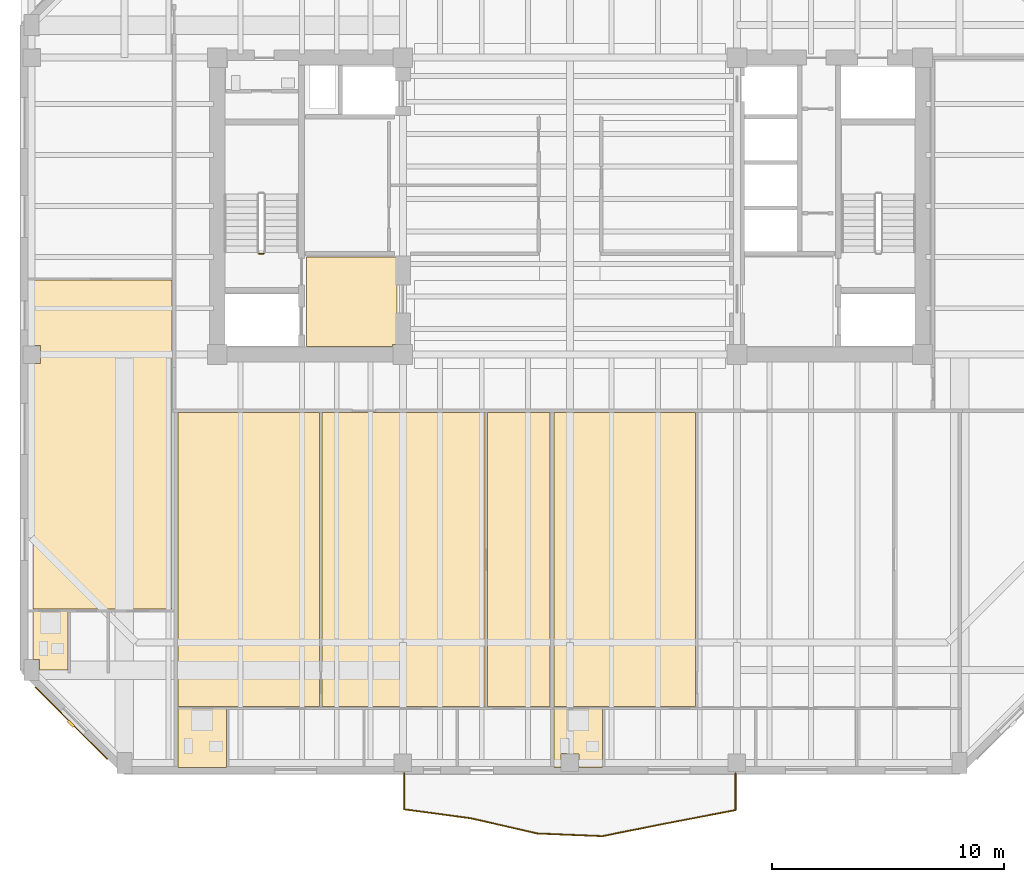
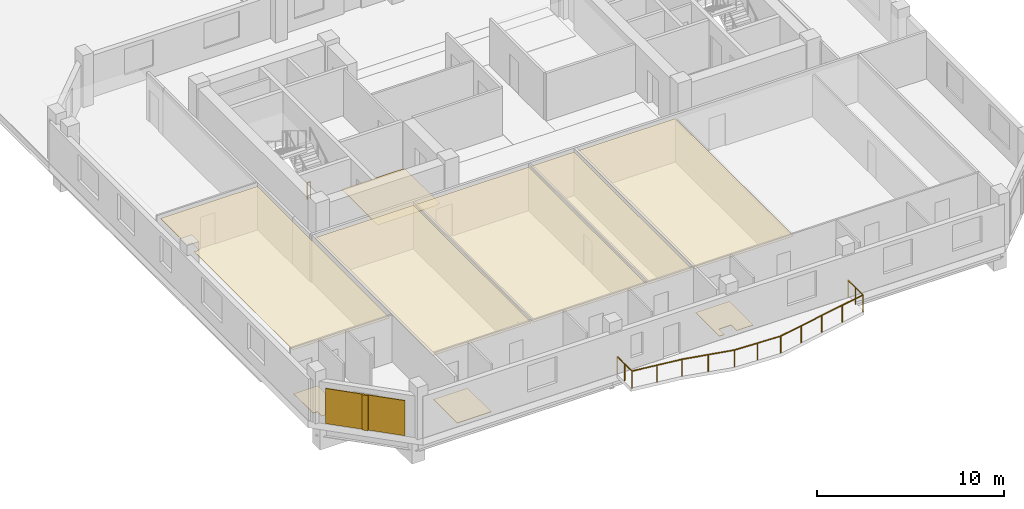
# One storey, part 7 of 11: 10 coverings, 2 railings, 1 shading device.
"""IFC4 building model written with IfcOpenShell, lengths in metres."""

from ifc_helpers import new_model, si_unit, direction, frame, origin, origin_2d, place, context, subcontext, project, spatial, polyline, rectangle, circle, outline, extrude, material, layer, layer_set, type_object, element, save


model = new_model("IFC4")

# Units and contexts
model_context = context("Model", 3, precision=1e-05, world=origin(), true_north=direction((0.0, 1.0)))
body_context = subcontext(model_context, "Body", "Model", "MODEL_VIEW")
ifc_project = project(units=[si_unit("LENGTHUNIT", "METRE"), si_unit("AREAUNIT", "SQUARE_METRE"), si_unit("VOLUMEUNIT", "CUBIC_METRE"), si_unit("PLANEANGLEUNIT", "RADIAN"), si_unit("MASSUNIT", "GRAM", prefix="KILO")], contexts=[model_context])

# Site, building, storey
site_placement = place(None, origin())
site = spatial("IfcSite", under=ifc_project, at=site_placement, CompositionType="ELEMENT")
building_placement = place(site_placement, origin())
building = spatial("IfcBuilding", under=site, at=building_placement, Name="Kranthara Brick Stack", CompositionType="ELEMENT")
storey_placement = place(building_placement, frame((0.0, 0.0, 207.5)))
storey = spatial("IfcBuildingStorey", under=building, at=storey_placement, Name="L53", CompositionType="ELEMENT", Elevation=207.5)

# Coverings
ifc_material_1 = material(Name="Perforated mineral-fibre acoustic ceiling tile", Category="other")
ifc_layer_1 = layer(ifc_material_1, 0.02490234375)
ifc_layer_set_1 = layer_set([ifc_layer_1], Name="Perforated mineral-fibre acoustic ceiling tile")
covering_type_1 = type_object("IfcCoveringType", Name="COV-CEIL-ACOUSTIC", PredefinedType="CEILING", material=ifc_layer_set_1)
covering_1_placement = place(storey_placement, frame((0.0, 0.0, 2.830078125)))
element("IfcCovering", 1, at=covering_1_placement, inside=storey, type_object=covering_type_1, Name="L53 Unit L53A Bedroom 3 Acoustic Ceiling", PredefinedType="CEILING", context=body_context, shape_type="SweptSolid", body=[
    extrude(outline(polyline([(27.154052734375, 5.6298828125), (27.154052734375, 18.300048828125), (24.44189453125, 18.300048828125), (24.44189453125, 5.6298828125), (27.154052734375, 5.6298828125)])), origin(), (0.0, 0.0, 1.0), 0.02490234375),
])
covering_2_placement = place(storey_placement, frame((0.0, 0.0, 2.830078125)))
element("IfcCovering", 2, at=covering_2_placement, inside=storey, type_object=covering_type_1, Name="L53 Unit L53A 3-Bed Apartment Living Dining Acoustic Ceiling", PredefinedType="CEILING", context=body_context, shape_type="SweptSolid", body=[
    extrude(outline(polyline([(17.2060546875, 5.6298828125), (17.2060546875, 18.300048828125), (11.10009765625, 18.300048828125), (11.10009765625, 5.6298828125), (17.2060546875, 5.6298828125)])), origin(), (0.0, 0.0, 1.0), 0.02490234375),
])
covering_3_placement = place(storey_placement, frame((0.0, 0.0, 2.830078125)))
element("IfcCovering", 3, at=covering_3_placement, inside=storey, type_object=covering_type_1, Name="L53 Unit L53A Private Study Room Acoustic Ceiling", PredefinedType="CEILING", context=body_context, shape_type="SweptSolid", body=[
    extrude(outline(polyline([(24.342041015625, 5.6298828125), (24.342041015625, 18.300048828125), (17.305908203125, 18.300048828125), (17.305908203125, 5.6298828125), (24.342041015625, 5.6298828125)])), origin(), (0.0, 0.0, 1.0), 0.02490234375),
])
covering_4_placement = place(storey_placement, frame((0.0, 0.0, 2.830078125)))
element("IfcCovering", 4, at=covering_4_placement, inside=storey, type_object=covering_type_1, Name="L53 Unit L53B 3-Bed Apartment Living Dining Acoustic Ceiling", PredefinedType="CEILING", context=body_context, shape_type="SweptSolid", body=[
    extrude(outline(polyline([(33.419921875, 5.6298828125), (33.419921875, 18.300048828125), (27.31396484375, 18.300048828125), (27.31396484375, 5.6298828125), (33.419921875, 5.6298828125)])), origin(), (0.0, 0.0, 1.0), 0.02490234375),
])
covering_5_placement = place(storey_placement, frame((0.0, 0.0, 2.830078125)))
element("IfcCovering", 5, at=covering_5_placement, inside=storey, type_object=covering_type_1, Name="L53 Unit L53C Private Study Room Acoustic Ceiling", PredefinedType="CEILING", context=body_context, shape_type="SweptSolid", body=[
    extrude(outline(polyline([(4.8701171875, 24.011962890625), (10.860107421875, 24.011962890625), (10.860107421875, 9.830078125), (4.8701171875, 9.830078125), (4.8701171875, 20.4150390625), (5.18505859375, 20.4150390625), (5.18505859375, 21.18505859375), (4.8701171875, 21.18505859375), (4.8701171875, 24.011962890625)])), origin(), (0.0, 0.0, 1.0), 0.02490234375),
])
ifc_material_2 = material(Name="Warm buff kiln-fired brick slip rainscreen", Category="masonry")
ifc_layer_2 = layer(ifc_material_2, 0.044921875)
ifc_layer_set_2 = layer_set([ifc_layer_2], Name="Warm buff kiln-fired brick slip rainscreen")
covering_type_2 = type_object("IfcCoveringType", Name="COV-CLAD-BRICK", PredefinedType="CLADDING", material=ifc_layer_set_2)
covering_6_placement = place(storey_placement, frame((6.5126953125, 4.91259765625, 0.0498046875), z_axis=(0.0, 0.0, 1.0), x_axis=(-0.707106781187, 0.707106781187, 0.0)))
element("IfcCovering", 6, at=covering_6_placement, inside=storey, type_object=covering_type_2, Name="L53 Chamfer Brick Rainscreen Cladding SW", PredefinedType="CLADDING", context=body_context, shape_type="SweptSolid", body=[
    extrude(rectangle(XDim=4.39892578125, YDim=0.044921875, at=origin_2d()), origin(), (0.0, 0.0, 1.0), 2.300048828125),
])
ifc_material_3 = material(Name="Honed terrazzo and porcelain floor finish", Category="stone")
ifc_layer_3 = layer(ifc_material_3, 0.030029296875)
ifc_layer_set_3 = layer_set([ifc_layer_3], Name="Honed terrazzo and porcelain floor finish")
covering_type_3 = type_object("IfcCoveringType", Name="COV-FLOR-STONE", PredefinedType="FLOORING", material=ifc_layer_set_3)
covering_7_placement = place(storey_placement, origin())
element("IfcCovering", 7, at=covering_7_placement, inside=storey, type_object=covering_type_3, Name="L53 Lift Lobby Stone Flooring", PredefinedType="FLOORING", context=body_context, shape_type="SweptSolid", body=[
    extrude(outline(polyline([(16.64990234375, 21.14990234375), (16.64990234375, 25.0), (20.550048828125, 25.0), (20.550048828125, 21.235107421875), (20.364990234375, 21.235107421875), (20.364990234375, 21.14990234375), (16.64990234375, 21.14990234375)])), origin(), (0.0, 0.0, 1.0), 0.030029296875),
])
covering_8_placement = place(storey_placement, origin())
element("IfcCovering", 8, at=covering_8_placement, inside=storey, type_object=covering_type_3, Name="L53 Wet Room Porcelain Flooring", PredefinedType="FLOORING", context=body_context, shape_type="SweptSolid", body=[
    extrude(outline(polyline([(13.199951171875, 3.0), (13.199951171875, 5.550048828125), (11.10009765625, 5.550048828125), (11.10009765625, 3.0), (13.199951171875, 3.0)])), origin(), (0.0, 0.0, 1.0), 0.030029296875),
])
covering_9_placement = place(storey_placement, origin())
element("IfcCovering", 9, at=covering_9_placement, inside=storey, type_object=covering_type_3, Name="L53 Wet Room Porcelain Flooring", PredefinedType="FLOORING", context=body_context, shape_type="SweptSolid", body=[
    extrude(outline(polyline([(27.31396484375, 3.0), (27.31396484375, 5.550048828125), (29.4140625, 5.550048828125), (29.4140625, 3.0), (28.385009765625, 3.0), (28.385009765625, 3.5849609375), (27.614990234375, 3.5849609375), (27.614990234375, 3.0), (27.31396484375, 3.0)])), origin(), (0.0, 0.0, 1.0), 0.030029296875),
])
covering_10_placement = place(storey_placement, origin())
element("IfcCovering", 10, at=covering_10_placement, inside=storey, type_object=covering_type_3, Name="L53 Wet Room Porcelain Flooring", PredefinedType="FLOORING", context=body_context, shape_type="SweptSolid", body=[
    extrude(outline(polyline([(4.8701171875, 9.75), (6.375, 9.75), (6.375, 7.199951171875), (5.135009765625, 7.199951171875), (5.135009765625, 7.659912109375), (4.8701171875, 7.659912109375), (4.8701171875, 9.75)])), origin(), (0.0, 0.0, 1.0), 0.030029296875),
])

# Railings
ifc_material_4 = material(Name="Bronze anodised aluminium and laminated glass balustrade", Category="aluminium")
railing_type_1 = type_object("IfcRailingType", Name="RL-BALC-1120", PredefinedType="BALUSTRADE", material=ifc_material_4)
railing_1_placement = place(storey_placement, frame((35.139892578125, 2.760009765625, 0.0)))
element("IfcRailing", 11, at=railing_1_placement, inside=storey, type_object=railing_type_1, Name="L53 South Rippling Balcony Balustrade", PredefinedType="BALUSTRADE", context=body_context, shape_type="SweptSolid", body=[
    extrude(circle(Radius=0.02392578125, at=origin_2d()), frame((0.0, 0.0, 1.09619140625), z_axis=(0.0, -1.0, 0.0), x_axis=(1.0, 0.0, 0.0)), (0.0, 0.0, 1.0), 1.593994140625),
    extrude(circle(Radius=0.02392578125, at=origin_2d()), frame((0.0, -1.593994140625, 1.09619140625), z_axis=(-0.982100169134, -0.188359384652, 0.0), x_axis=(0.188359384652, -0.982100169134, 0.0)), (0.0, 0.0, 1.0), 2.931884765625),
    extrude(circle(Radius=0.02392578125, at=origin_2d()), frame((-2.87939453125, -2.146240234375, 1.09619140625), z_axis=(-0.980849578843, -0.194766793074, 0.0), x_axis=(0.194766793074, -0.980849578843, 0.0)), (0.0, 0.0, 1.0), 2.923095703125),
    extrude(circle(Radius=0.02392578125, at=origin_2d()), frame((-5.74658203125, -2.715576171875, 1.09619140625), z_axis=(-0.999177134327, 0.040559268209, 0.0), x_axis=(-0.040559268209, -0.999177134327, 0.0)), (0.0, 0.0, 1.0), 2.786865234375),
    extrude(circle(Radius=0.02392578125, at=origin_2d()), frame((-8.53125, -2.6025390625, 1.09619140625), z_axis=(-0.97494751059, 0.222435050284, 0.0), x_axis=(-0.222435050284, -0.97494751059, 0.0)), (0.0, 0.0, 1.0), 2.942626953125),
    extrude(circle(Radius=0.02392578125, at=origin_2d()), frame((-11.400146484375, -1.947998046875, 1.09619140625), z_axis=(-0.991058311372, 0.133429469984, 0.0), x_axis=(-0.133429469984, -0.991058311372, 0.0)), (0.0, 0.0, 1.0), 2.905517578125),
    extrude(circle(Radius=0.02392578125, at=origin_2d()), frame((-14.27978515625, -1.560302734375, 1.09619140625), z_axis=(0.0, 1.0, 0.0), x_axis=(-1.0, 0.0, 0.0)), (0.0, 0.0, 1.0), 1.560302734375),
    extrude(circle(Radius=0.02099609375, at=origin_2d()), origin(), (0.0, 0.0, 1.0), 1.072021484375),
    extrude(circle(Radius=0.02099609375, at=origin_2d()), frame((0.0, -0.796875, 0.0)), (0.0, 0.0, 1.0), 1.072021484375),
    extrude(circle(Radius=0.02099609375, at=origin_2d()), frame((0.0, -1.593994140625, 0.0)), (0.0, 0.0, 1.0), 1.072021484375),
    extrude(circle(Radius=0.02099609375, at=origin_2d()), frame((-1.439697265625, -1.8701171875, 0.0)), (0.0, 0.0, 1.0), 1.072021484375),
    extrude(circle(Radius=0.02099609375, at=origin_2d()), frame((-2.87939453125, -2.146240234375, 0.0)), (0.0, 0.0, 1.0), 1.072021484375),
    extrude(circle(Radius=0.02099609375, at=origin_2d()), frame((-4.31298828125, -2.430908203125, 0.0)), (0.0, 0.0, 1.0), 1.072021484375),
    extrude(circle(Radius=0.02099609375, at=origin_2d()), frame((-5.74658203125, -2.715576171875, 0.0)), (0.0, 0.0, 1.0), 1.072021484375),
    extrude(circle(Radius=0.02099609375, at=origin_2d()), frame((-7.138916015625, -2.6591796875, 0.0)), (0.0, 0.0, 1.0), 1.072021484375),
    extrude(circle(Radius=0.02099609375, at=origin_2d()), frame((-8.53125, -2.6025390625, 0.0)), (0.0, 0.0, 1.0), 1.072021484375),
    extrude(circle(Radius=0.02099609375, at=origin_2d()), frame((-9.9658203125, -2.275390625, 0.0)), (0.0, 0.0, 1.0), 1.072021484375),
    extrude(circle(Radius=0.02099609375, at=origin_2d()), frame((-11.400146484375, -1.947998046875, 0.0)), (0.0, 0.0, 1.0), 1.072021484375),
    extrude(circle(Radius=0.02099609375, at=origin_2d()), frame((-12.83984375, -1.754150390625, 0.0)), (0.0, 0.0, 1.0), 1.072021484375),
    extrude(circle(Radius=0.02099609375, at=origin_2d()), frame((-14.27978515625, -1.560302734375, 0.0)), (0.0, 0.0, 1.0), 1.072021484375),
    extrude(circle(Radius=0.02099609375, at=origin_2d()), frame((-14.27978515625, -0.7802734375, 0.0)), (0.0, 0.0, 1.0), 1.072021484375),
    extrude(circle(Radius=0.02099609375, at=origin_2d()), frame((-14.27978515625, 0.0, 0.0)), (0.0, 0.0, 1.0), 1.072021484375),
])
ifc_material_5 = material(Name="Painted galvanized steel stair guardrail", Category="steel")
railing_type_2 = type_object("IfcRailingType", Name="RL-STAIR-GUARD-1100", PredefinedType="GUARDRAIL", material=ifc_material_5)
railing_2_placement = place(storey_placement, frame((14.800048828125, 25.14990234375, 0.0)))
element("IfcRailing", 12, at=railing_2_placement, inside=storey, type_object=railing_type_2, Name="L53 ST01 stair guard 4", PredefinedType="GUARDRAIL", context=body_context, shape_type="SweptSolid", body=[
    extrude(circle(Radius=0.02392578125, at=origin_2d()), frame((0.0, 0.0, 1.076171875), z_axis=(-1.0, 0.0, 0.0), x_axis=(0.0, -1.0, 0.0)), (0.0, 0.0, 1.0), 0.199951171875),
    extrude(circle(Radius=0.02099609375, at=origin_2d()), origin(), (0.0, 0.0, 1.0), 1.052001953125),
    extrude(circle(Radius=0.02099609375, at=origin_2d()), frame((-0.199951171875, 0.0, 0.0)), (0.0, 0.0, 1.0), 1.052001953125),
])

# Shading device
ifc_material_6 = material(Name="Kiln-fired terracotta aerodynamic wind fin", Category="masonry")
shading_device_type = type_object("IfcShadingDeviceType", Name="SHD-BAFFLE-CORNER", PredefinedType="SHUTTER", material=ifc_material_6)
shading_device_placement = place(storey_placement, frame((6.491455078125, 4.8916015625, 0.0498046875), z_axis=(0.0, 0.0, 1.0), x_axis=(-0.707106781187, 0.707106781187, 0.0)))
element("IfcShadingDevice", 13, at=shading_device_placement, inside=storey, type_object=shading_device_type, Name="L53 Chamfer Wind-Baffle Fin SW", PredefinedType="SHUTTER", context=body_context, shape_type="SweptSolid", body=[
    extrude(rectangle(XDim=0.35009765625, YDim=0.1201171875, at=origin_2d()), origin(), (0.0, 0.0, 1.0), 2.300048828125),
])

save(model, "model.ifc")
